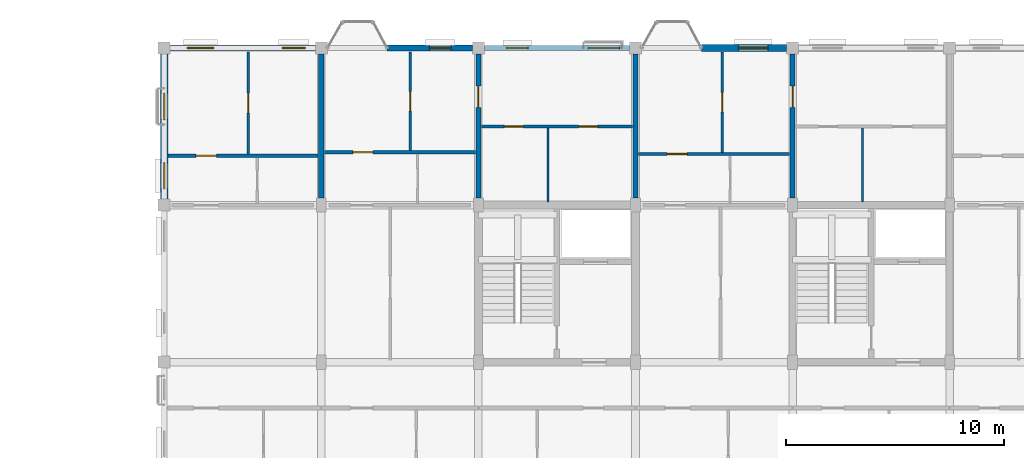
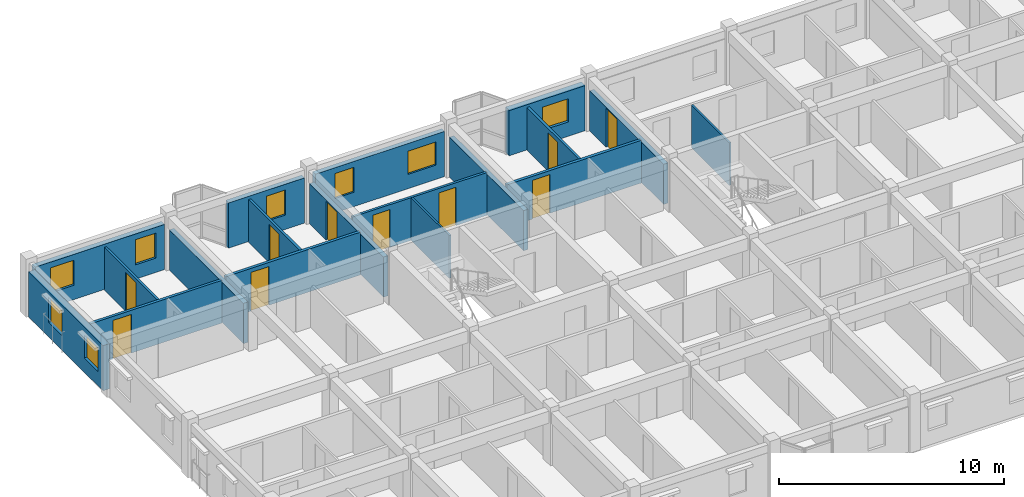
# One storey, part 69 of 79: 18 walls, 10 doors, 8 windows, 18 openings.
"""IFC4 building model written with IfcOpenShell, lengths in metres."""

from ifc_helpers import new_model, si_unit, direction, frame, frame_2d, origin, place, context, subcontext, project, spatial, rectangle, extrude, material, layer, layer_set, type_object, element, fill, save


model = new_model("IFC4")

# Units and contexts
model_context = context("Model", 3, precision=1e-05, world=origin(), true_north=direction((0.0, 1.0)))
body_context = subcontext(model_context, "Body", "Model", "MODEL_VIEW")
ifc_project = project(units=[si_unit("LENGTHUNIT", "METRE"), si_unit("AREAUNIT", "SQUARE_METRE"), si_unit("VOLUMEUNIT", "CUBIC_METRE"), si_unit("PLANEANGLEUNIT", "RADIAN"), si_unit("MASSUNIT", "GRAM", prefix="KILO"), si_unit("THERMODYNAMICTEMPERATUREUNIT", "KELVIN"), si_unit("POWERUNIT", "WATT")], contexts=[model_context])

# Site, building, storey
site_placement = place(None, origin())
site = spatial("IfcSite", under=ifc_project, at=site_placement, CompositionType="ELEMENT")
building_placement = place(site_placement, origin())
building = spatial("IfcBuilding", under=site, at=building_placement, Name="Tavuni Mirador Residences", CompositionType="ELEMENT")
storey_placement = place(building_placement, frame((0.0, 0.0, 13.949951171875)))
storey = spatial("IfcBuildingStorey", under=building, at=storey_placement, Name="L04", CompositionType="ELEMENT", Elevation=13.949951171875)

# Wall, opening, window
ifc_material_1 = material(Name="Precast concrete C40/50", Category="concrete")
ifc_layer_1 = layer(ifc_material_1, 0.330078125, Name="Precast concrete C40/50", Category="concrete")
ifc_layer_set_1 = layer_set([ifc_layer_1], Name="Precast concrete C40/50")
wall_type_1 = type_object("IfcWallType", Name="WT-EXT-COR330", PredefinedType="SOLIDWALL", material=ifc_layer_set_1)
wall_1_placement = place(storey_placement, frame((39.324951171875, 172.800048828125, 0.0), z_axis=(0.0, 0.0, 1.0), x_axis=(-1.0, 0.0, 0.0)))
wall_1 = element("IfcWall", 1, at=wall_1_placement, inside=storey, type_object=wall_type_1, Name="EW-BLK-C-L04-N03", PredefinedType="SOLIDWALL", context=body_context, shape_type="SweptSolid", body=[
    extrude(rectangle(XDim=3.905029296875, YDim=0.330078125, at=frame_2d((1.95263671875, 0.0))), origin(), (0.0, 0.0, 1.0), 2.455078125),
])
opening_1_placement = place(wall_1_placement, frame((0.847412109375, 0.0, 0.780029296875)))
opening_1 = element("IfcOpeningElement", 2, at=opening_1_placement, cuts=wall_1, Name="Opening WN-15", PredefinedType="OPENING", context=body_context, shape_type="SweptSolid", body=[
    extrude(rectangle(XDim=1.360107421875, YDim=1.260009765625, at=frame_2d((0.68017578125, 0.6298828125))), frame((0.0, 0.175048828125, 0.0), z_axis=(0.0, -1.0, 0.0), x_axis=(1.0, 0.0, 0.0)), (0.0, 0.0, 1.0), 0.35009765625),
])
ifc_material_2 = material(Name="Laminated solar-control glass", Category="glass")
window_type_1 = type_object("IfcWindowType", Name="WNT-15", PartitioningType="SINGLE_PANEL", PredefinedType="WINDOW", material=ifc_material_2)
window_1_placement = place(opening_1_placement, origin())
window_1 = element("IfcWindow", 3, at=window_1_placement, inside=storey, type_object=window_type_1, Name="WIN-1030", OverallHeight=1.260009765625, OverallWidth=1.360107421875, PartitioningType="SINGLE_PANEL", PredefinedType="WINDOW", context=body_context, shape_type="SweptSolid", body=[
    extrude(rectangle(XDim=1.360107421875, YDim=1.260009765625, at=frame_2d((0.68017578125, 0.6298828125))), frame((0.0, 0.030029296875, 0.0), z_axis=(0.0, -1.0, 0.0), x_axis=(1.0, 0.0, 0.0)), (0.0, 0.0, 1.0), 0.06005859375),
])
fill(opening_1, window_1)

# Wall, openings, windows
wall_2_placement = place(storey_placement, frame((10.800048828125, 172.52490234375, 0.0), z_axis=(0.0, 0.0, 1.0), x_axis=(0.0, -1.0, 0.0)))
wall_2 = element("IfcWall", 4, at=wall_2_placement, inside=storey, type_object=wall_type_1, Name="EW-BLK-C-L04-W03", PredefinedType="SOLIDWALL", context=body_context, shape_type="SweptSolid", body=[
    extrude(rectangle(XDim=6.64990234375, YDim=0.330078125, at=frame_2d((3.324951171875, 0.0))), origin(), (0.0, 0.0, 1.0), 2.455078125),
])
opening_2_placement = place(wall_2_placement, frame((1.79248046875, 0.0, 0.780029296875)))
opening_2 = element("IfcOpeningElement", 5, at=opening_2_placement, cuts=wall_2, Name="Opening WN-21", PredefinedType="OPENING", context=body_context, shape_type="SweptSolid", body=[
    extrude(rectangle(XDim=1.219970703125, YDim=1.360107421875, at=frame_2d((0.60986328125, 0.68017578125))), frame((0.0, 0.175048828125, 0.0), z_axis=(0.0, -1.0, 0.0), x_axis=(1.0, 0.0, 0.0)), (0.0, 0.0, 1.0), 0.35009765625),
])
opening_3_placement = place(wall_2_placement, frame((4.987548828125, 0.0, 0.780029296875)))
opening_3 = element("IfcOpeningElement", 6, at=opening_3_placement, cuts=wall_2, Name="Opening WN-13", PredefinedType="OPENING", context=body_context, shape_type="SweptSolid", body=[
    extrude(rectangle(XDim=1.199951171875, YDim=1.260009765625, at=frame_2d((0.60009765625, 0.6298828125))), frame((0.0, 0.175048828125, 0.0), z_axis=(0.0, -1.0, 0.0), x_axis=(1.0, 0.0, 0.0)), (0.0, 0.0, 1.0), 0.35009765625),
])
window_type_2 = type_object("IfcWindowType", Name="WNT-13", PartitioningType="SINGLE_PANEL", PredefinedType="WINDOW", material=ifc_material_2)
window_2_placement = place(opening_3_placement, origin())
window_2 = element("IfcWindow", 7, at=window_2_placement, inside=storey, type_object=window_type_2, Name="WIN-1037", OverallHeight=1.260009765625, OverallWidth=1.199951171875, PartitioningType="SINGLE_PANEL", PredefinedType="WINDOW", context=body_context, shape_type="SweptSolid", body=[
    extrude(rectangle(XDim=1.199951171875, YDim=1.260009765625, at=frame_2d((0.60009765625, 0.6298828125))), frame((0.0, 0.030029296875, 0.0), z_axis=(0.0, -1.0, 0.0), x_axis=(1.0, 0.0, 0.0)), (0.0, 0.0, 1.0), 0.06005859375),
])
fill(opening_3, window_2)
window_type_3 = type_object("IfcWindowType", Name="WNT-21", PartitioningType="SINGLE_PANEL", PredefinedType="WINDOW", material=ifc_material_2)
window_3_placement = place(opening_2_placement, origin())
window_3 = element("IfcWindow", 8, at=window_3_placement, inside=storey, type_object=window_type_3, Name="WIN-1036", OverallHeight=1.360107421875, OverallWidth=1.219970703125, PartitioningType="SINGLE_PANEL", PredefinedType="WINDOW", context=body_context, shape_type="SweptSolid", body=[
    extrude(rectangle(XDim=1.219970703125, YDim=1.360107421875, at=frame_2d((0.60986328125, 0.68017578125))), frame((0.0, 0.030029296875, 0.0), z_axis=(0.0, -1.0, 0.0), x_axis=(1.0, 0.0, 0.0)), (0.0, 0.0, 1.0), 0.06005859375),
])
fill(opening_2, window_3)

ifc_material_3 = material(Name="Sgraffito lime-rendered precast concrete C40/50", Category="concrete")
ifc_layer_2 = layer(ifc_material_3, 0.2451171875, Name="Sgraffito lime-rendered precast concrete C40/50", Category="concrete")
ifc_layer_set_2 = layer_set([ifc_layer_2], Name="Sgraffito lime-rendered precast concrete C40/50")
wall_type_2 = type_object("IfcWallType", Name="WT-EXT-PC245", PredefinedType="SOLIDWALL", material=ifc_layer_set_2)
wall_3_placement = place(storey_placement, frame((32.125, 172.800048828125, 0.0), z_axis=(0.0, 0.0, 1.0), x_axis=(-1.0, 0.0, 0.0)))
wall_3 = element("IfcWall", 9, at=wall_3_placement, inside=storey, type_object=wall_type_2, Name="EW-BLK-C-L04-N02", PredefinedType="SOLIDWALL", context=body_context, shape_type="SweptSolid", body=[
    extrude(rectangle(XDim=6.64990234375, YDim=0.2451171875, at=frame_2d((3.324951171875, 0.0))), origin(), (0.0, 0.0, 1.0), 2.455078125),
])
opening_4_placement = place(wall_3_placement, frame((0.449951171875, 0.0, 0.780029296875)))
opening_4 = element("IfcOpeningElement", 10, at=opening_4_placement, cuts=wall_3, Name="Opening WN-16", PredefinedType="OPENING", context=body_context, shape_type="SweptSolid", body=[
    extrude(rectangle(XDim=1.43994140625, YDim=1.260009765625, at=frame_2d((0.719970703125, 0.6298828125))), frame((0.0, 0.132568359375, 0.0), z_axis=(0.0, -1.0, 0.0), x_axis=(1.0, 0.0, 0.0)), (0.0, 0.0, 1.0), 0.26513671875),
])
opening_5_placement = place(wall_3_placement, frame((4.64990234375, 0.0, 0.780029296875)))
opening_5 = element("IfcOpeningElement", 11, at=opening_5_placement, cuts=wall_3, Name="Opening WN-18", PredefinedType="OPENING", context=body_context, shape_type="SweptSolid", body=[
    extrude(rectangle(XDim=0.97998046875, YDim=1.360107421875, at=frame_2d((0.489990234375, 0.68017578125))), frame((0.0, 0.132568359375, 0.0), z_axis=(0.0, -1.0, 0.0), x_axis=(1.0, 0.0, 0.0)), (0.0, 0.0, 1.0), 0.26513671875),
])
window_type_4 = type_object("IfcWindowType", Name="WNT-16", PartitioningType="SINGLE_PANEL", PredefinedType="WINDOW", material=ifc_material_2)
window_4_placement = place(opening_4_placement, origin())
window_4 = element("IfcWindow", 12, at=window_4_placement, inside=storey, type_object=window_type_4, Name="WIN-1031", OverallHeight=1.260009765625, OverallWidth=1.43994140625, PartitioningType="SINGLE_PANEL", PredefinedType="WINDOW", context=body_context, shape_type="SweptSolid", body=[
    extrude(rectangle(XDim=1.43994140625, YDim=1.260009765625, at=frame_2d((0.719970703125, 0.6298828125))), frame((0.0, 0.030029296875, 0.0), z_axis=(0.0, -1.0, 0.0), x_axis=(1.0, 0.0, 0.0)), (0.0, 0.0, 1.0), 0.06005859375),
])
fill(opening_4, window_4)
window_type_5 = type_object("IfcWindowType", Name="WNT-18", PartitioningType="SINGLE_PANEL", PredefinedType="WINDOW", material=ifc_material_2)
window_5_placement = place(opening_5_placement, origin())
window_5 = element("IfcWindow", 13, at=window_5_placement, inside=storey, type_object=window_type_5, Name="WIN-1032", OverallHeight=1.360107421875, OverallWidth=0.97998046875, PartitioningType="SINGLE_PANEL", PredefinedType="WINDOW", context=body_context, shape_type="SweptSolid", body=[
    extrude(rectangle(XDim=0.97998046875, YDim=1.360107421875, at=frame_2d((0.489990234375, 0.68017578125))), frame((0.0, 0.030029296875, 0.0), z_axis=(0.0, -1.0, 0.0), x_axis=(1.0, 0.0, 0.0)), (0.0, 0.0, 1.0), 0.06005859375),
])
fill(opening_5, window_5)

# Wall, opening, window
ifc_layer_3 = layer(ifc_material_3, 0.2548828125, Name="Sgraffito lime-rendered precast concrete C40/50", Category="concrete")
ifc_layer_set_3 = layer_set([ifc_layer_3], Name="Sgraffito lime-rendered precast concrete C40/50")
wall_type_3 = type_object("IfcWallType", Name="WT-EXT-PC255", PredefinedType="SOLIDWALL", material=ifc_layer_set_3)
wall_4_placement = place(storey_placement, frame((24.925048828125, 172.800048828125, 0.0), z_axis=(0.0, 0.0, 1.0), x_axis=(-1.0, 0.0, 0.0)))
wall_4 = element("IfcWall", 14, at=wall_4_placement, inside=storey, type_object=wall_type_3, Name="EW-BLK-C-L04-N01", PredefinedType="SOLIDWALL", context=body_context, shape_type="SweptSolid", body=[
    extrude(rectangle(XDim=3.905029296875, YDim=0.2548828125, at=frame_2d((1.95263671875, 0.0))), origin(), (0.0, 0.0, 1.0), 2.455078125),
])
opening_6_placement = place(wall_4_placement, frame((0.987548828125, 0.0, 0.780029296875)))
opening_6 = element("IfcOpeningElement", 15, at=opening_6_placement, cuts=wall_4, Name="Opening WN-18", PredefinedType="OPENING", context=body_context, shape_type="SweptSolid", body=[
    extrude(rectangle(XDim=0.97998046875, YDim=1.360107421875, at=frame_2d((0.489990234375, 0.68017578125))), frame((0.0, 0.137451171875, 0.0), z_axis=(0.0, -1.0, 0.0), x_axis=(1.0, 0.0, 0.0)), (0.0, 0.0, 1.0), 0.27490234375),
])
window_6_placement = place(opening_6_placement, origin())
window_6 = element("IfcWindow", 16, at=window_6_placement, inside=storey, type_object=window_type_5, Name="WIN-1033", OverallHeight=1.360107421875, OverallWidth=0.97998046875, PartitioningType="SINGLE_PANEL", PredefinedType="WINDOW", context=body_context, shape_type="SweptSolid", body=[
    extrude(rectangle(XDim=0.97998046875, YDim=1.360107421875, at=frame_2d((0.489990234375, 0.68017578125))), frame((0.0, 0.030029296875, 0.0), z_axis=(0.0, -1.0, 0.0), x_axis=(1.0, 0.0, 0.0)), (0.0, 0.0, 1.0), 0.06005859375),
])
fill(opening_6, window_6)

# Wall, openings, windows
ifc_layer_4 = layer(ifc_material_3, 0.27490234375, Name="Sgraffito lime-rendered precast concrete C40/50", Category="concrete")
ifc_layer_set_4 = layer_set([ifc_layer_4], Name="Sgraffito lime-rendered precast concrete C40/50")
wall_type_4 = type_object("IfcWallType", Name="WT-EXT-PC275", PredefinedType="SOLIDWALL", material=ifc_layer_set_4)
wall_5_placement = place(storey_placement, frame((17.72509765625, 172.800048828125, 0.0), z_axis=(0.0, 0.0, 1.0), x_axis=(-1.0, 0.0, 0.0)))
wall_5 = element("IfcWall", 17, at=wall_5_placement, inside=storey, type_object=wall_type_4, Name="EW-BLK-C-L04-N00", PredefinedType="SOLIDWALL", context=body_context, shape_type="SweptSolid", body=[
    extrude(rectangle(XDim=6.650146484375, YDim=0.27490234375, at=frame_2d((3.3251953125, 0.0))), origin(), (0.0, 0.0, 1.0), 2.455078125),
])
opening_7_placement = place(wall_5_placement, frame((0.449951171875, 0.0, 0.780029296875)))
opening_7 = element("IfcOpeningElement", 18, at=opening_7_placement, cuts=wall_5, Name="Opening WN-19", PredefinedType="OPENING", context=body_context, shape_type="SweptSolid", body=[
    extrude(rectangle(XDim=1.06005859375, YDim=1.360107421875, at=frame_2d((0.530029296875, 0.68017578125))), frame((0.0, 0.1474609375, 0.0), z_axis=(0.0, -1.0, 0.0), x_axis=(1.0, 0.0, 0.0)), (0.0, 0.0, 1.0), 0.294921875),
])
opening_8_placement = place(wall_5_placement, frame((4.64990234375, 0.0, 0.780029296875)))
opening_8 = element("IfcOpeningElement", 19, at=opening_8_placement, cuts=wall_5, Name="Opening WN-21", PredefinedType="OPENING", context=body_context, shape_type="SweptSolid", body=[
    extrude(rectangle(XDim=1.219970703125, YDim=1.360107421875, at=frame_2d((0.60986328125, 0.68017578125))), frame((0.0, 0.1474609375, 0.0), z_axis=(0.0, -1.0, 0.0), x_axis=(1.0, 0.0, 0.0)), (0.0, 0.0, 1.0), 0.294921875),
])
window_type_6 = type_object("IfcWindowType", Name="WNT-19", PartitioningType="SINGLE_PANEL", PredefinedType="WINDOW", material=ifc_material_2)
window_7_placement = place(opening_7_placement, origin())
window_7 = element("IfcWindow", 20, at=window_7_placement, inside=storey, type_object=window_type_6, Name="WIN-1034", OverallHeight=1.360107421875, OverallWidth=1.06005859375, PartitioningType="SINGLE_PANEL", PredefinedType="WINDOW", context=body_context, shape_type="SweptSolid", body=[
    extrude(rectangle(XDim=1.06005859375, YDim=1.360107421875, at=frame_2d((0.530029296875, 0.68017578125))), frame((0.0, 0.030029296875, 0.0), z_axis=(0.0, -1.0, 0.0), x_axis=(1.0, 0.0, 0.0)), (0.0, 0.0, 1.0), 0.06005859375),
])
fill(opening_7, window_7)
window_8_placement = place(opening_8_placement, origin())
window_8 = element("IfcWindow", 21, at=window_8_placement, inside=storey, type_object=window_type_3, Name="WIN-1035", OverallHeight=1.360107421875, OverallWidth=1.219970703125, PartitioningType="SINGLE_PANEL", PredefinedType="WINDOW", context=body_context, shape_type="SweptSolid", body=[
    extrude(rectangle(XDim=1.219970703125, YDim=1.360107421875, at=frame_2d((0.60986328125, 0.68017578125))), frame((0.0, 0.030029296875, 0.0), z_axis=(0.0, -1.0, 0.0), x_axis=(1.0, 0.0, 0.0)), (0.0, 0.0, 1.0), 0.06005859375),
])
fill(opening_8, window_8)

# Walls
ifc_material_4 = material(Name="Acoustic gypsum and concrete block partition", Category="concrete")
ifc_layer_5 = layer(ifc_material_4, 0.094970703125, Name="Acoustic gypsum and concrete block partition", Category="concrete")
ifc_layer_set_5 = layer_set([ifc_layer_5], Name="Acoustic gypsum and concrete block partition")
wall_type_5 = type_object("IfcWallType", Name="WT-PART095", PredefinedType="PARTITIONING", material=ifc_layer_set_5)
for number, where, z_axis, x_axis, name in (
    (22, (28.39990234375, 165.739990234375, 0.0), (0.0, 0.0, 1.0), (0.0, 1.0, 0.0), "PW-BLK-C-L04-NC02-V"),
    (23, (42.800048828125, 165.739990234375, 0.0), (0.0, 0.0, 1.0), (0.0, 1.0, 0.0), "PW-BLK-C-L04-NC04-V"),
):
    element("IfcWall", number, at=place(storey_placement, frame(where, z_axis=z_axis, x_axis=x_axis)), inside=storey, type_object=wall_type_5, Name=name, PredefinedType="PARTITIONING", context=body_context, shape_type="SweptSolid", body=[
        extrude(rectangle(XDim=3.389892578125, YDim=0.094970703125, at=frame_2d((1.69482421875, 0.0))), origin(), (0.0, 0.0, 1.0), 2.320068359375),
    ])

# Wall, opening, door
ifc_layer_6 = layer(ifc_material_4, 0.114990234375, Name="Acoustic gypsum and concrete block partition", Category="concrete")
ifc_layer_set_6 = layer_set([ifc_layer_6], Name="Acoustic gypsum and concrete block partition")
wall_type_6 = type_object("IfcWallType", Name="WT-PART115", PredefinedType="PARTITIONING", material=ifc_layer_set_6)
wall_6_placement = place(storey_placement, frame((14.659912109375, 167.929931640625, 0.0), z_axis=(0.0, 0.0, 1.0), x_axis=(0.0, 1.0, 0.0)))
wall_6 = element("IfcWall", 24, at=wall_6_placement, inside=storey, type_object=wall_type_6, Name="PW-BLK-C-L04-N00-OUT", PredefinedType="PARTITIONING", context=body_context, shape_type="SweptSolid", body=[
    extrude(rectangle(XDim=4.695068359375, YDim=0.114990234375, at=frame_2d((2.34765625, 0.0))), origin(), (0.0, 0.0, 1.0), 2.320068359375),
])
opening_9_placement = place(wall_6_placement, frame((1.8974609375, 0.0, 0.0)))
opening_9 = element("IfcOpeningElement", 25, at=opening_9_placement, cuts=wall_6, Name="Opening D-07", PredefinedType="OPENING", context=body_context, shape_type="SweptSolid", body=[
    extrude(rectangle(XDim=0.89990234375, YDim=2.10009765625, at=frame_2d((0.449951171875, 1.050048828125))), frame((0.0, 0.0673828125, 0.0), z_axis=(0.0, -1.0, 0.0), x_axis=(1.0, 0.0, 0.0)), (0.0, 0.0, 1.0), 0.135009765625),
])
ifc_material_5 = material(Name="Solid core iroko timber", Category="wood")
door_type_1 = type_object("IfcDoorType", Name="DT-BED900", OperationType="NOTDEFINED", PredefinedType="DOOR", material=ifc_material_5)
door_1_placement = place(opening_9_placement, origin())
door_1 = element("IfcDoor", 26, at=door_1_placement, inside=storey, type_object=door_type_1, Name="DR-3853", OperationType="SINGLE_SWING_RIGHT", OverallHeight=2.10009765625, OverallWidth=0.89990234375, PredefinedType="DOOR", context=body_context, shape_type="SweptSolid", body=[
    extrude(rectangle(XDim=0.89990234375, YDim=2.10009765625, at=frame_2d((0.449951171875, 1.050048828125))), frame((0.0, 0.02490234375, 0.0), z_axis=(0.0, -1.0, 0.0), x_axis=(1.0, 0.0, 0.0)), (0.0, 0.0, 1.0), 0.050048828125),
])
fill(opening_9, door_1)

ifc_layer_7 = layer(ifc_material_4, 0.125, Name="Acoustic gypsum and concrete block partition", Category="concrete")
ifc_layer_set_7 = layer_set([ifc_layer_7], Name="Acoustic gypsum and concrete block partition")
wall_type_7 = type_object("IfcWallType", Name="WT-PART125", PredefinedType="PARTITIONING", material=ifc_layer_set_7)
wall_7_placement = place(storey_placement, frame((22.080078125, 168.090087890625, 0.0), z_axis=(0.0, 0.0, 1.0), x_axis=(0.0, 1.0, 0.0)))
wall_7 = element("IfcWall", 27, at=wall_7_placement, inside=storey, type_object=wall_type_7, Name="PW-BLK-C-L04-N01-OUT", PredefinedType="PARTITIONING", context=body_context, shape_type="SweptSolid", body=[
    extrude(rectangle(XDim=4.534912109375, YDim=0.125, at=frame_2d((2.267578125, 0.0))), origin(), (0.0, 0.0, 1.0), 2.320068359375),
])
opening_10_placement = place(wall_7_placement, frame((1.827392578125, 0.0, 0.0)))
opening_10 = element("IfcOpeningElement", 28, at=opening_10_placement, cuts=wall_7, Name="Opening D-08", PredefinedType="OPENING", context=body_context, shape_type="SweptSolid", body=[
    extrude(rectangle(XDim=0.8798828125, YDim=2.080078125, at=frame_2d((0.43994140625, 1.0400390625))), frame((0.0, 0.072509765625, 0.0), z_axis=(0.0, -1.0, 0.0), x_axis=(1.0, 0.0, 0.0)), (0.0, 0.0, 1.0), 0.14501953125),
])
door_type_2 = type_object("IfcDoorType", Name="DT-BED880", OperationType="NOTDEFINED", PredefinedType="DOOR", material=ifc_material_5)
door_2_placement = place(opening_10_placement, origin())
door_2 = element("IfcDoor", 29, at=door_2_placement, inside=storey, type_object=door_type_2, Name="DR-3860", OperationType="SINGLE_SWING_LEFT", OverallHeight=2.080078125, OverallWidth=0.8798828125, PredefinedType="DOOR", context=body_context, shape_type="SweptSolid", body=[
    extrude(rectangle(XDim=0.8798828125, YDim=2.080078125, at=frame_2d((0.43994140625, 1.0400390625))), frame((0.0, 0.02490234375, 0.0), z_axis=(0.0, -1.0, 0.0), x_axis=(1.0, 0.0, 0.0)), (0.0, 0.0, 1.0), 0.050048828125),
])
fill(opening_10, door_2)

# Wall, openings, doors
wall_8_placement = place(storey_placement, frame((25.340087890625, 169.199951171875, 0.0), z_axis=(0.0, 0.0, 1.0), x_axis=(1.0, 0.0, 0.0)))
wall_8 = element("IfcWall", 30, at=wall_8_placement, inside=storey, type_object=wall_type_7, Name="PW-BLK-C-L04-NC02-M", PredefinedType="PARTITIONING", context=body_context, shape_type="SweptSolid", body=[
    extrude(rectangle(XDim=6.919921875, YDim=0.125, at=frame_2d((3.4599609375, 0.0))), origin(), (0.0, 0.0, 1.0), 2.320068359375),
])
opening_11_placement = place(wall_8_placement, frame((1.050048828125, 0.0, 0.0)))
opening_11 = element("IfcOpeningElement", 31, at=opening_11_placement, cuts=wall_8, Name="Opening D-10", PredefinedType="OPENING", context=body_context, shape_type="SweptSolid", body=[
    extrude(rectangle(XDim=0.8701171875, YDim=2.050048828125, at=frame_2d((0.43505859375, 1.02490234375))), frame((0.0, 0.072509765625, 0.0), z_axis=(0.0, -1.0, 0.0), x_axis=(1.0, 0.0, 0.0)), (0.0, 0.0, 1.0), 0.14501953125),
])
opening_12_placement = place(wall_8_placement, frame((4.449951171875, 0.0, 0.0)))
opening_12 = element("IfcOpeningElement", 32, at=opening_12_placement, cuts=wall_8, Name="Opening D-08", PredefinedType="OPENING", context=body_context, shape_type="SweptSolid", body=[
    extrude(rectangle(XDim=0.8798828125, YDim=2.080078125, at=frame_2d((0.43994140625, 1.0400390625))), frame((0.0, 0.072509765625, 0.0), z_axis=(0.0, -1.0, 0.0), x_axis=(1.0, 0.0, 0.0)), (0.0, 0.0, 1.0), 0.14501953125),
])
door_3_placement = place(opening_12_placement, origin())
door_3 = element("IfcDoor", 33, at=door_3_placement, inside=storey, type_object=door_type_2, Name="DR-3867", OperationType="SINGLE_SWING_RIGHT", OverallHeight=2.080078125, OverallWidth=0.8798828125, PredefinedType="DOOR", context=body_context, shape_type="SweptSolid", body=[
    extrude(rectangle(XDim=0.8798828125, YDim=2.080078125, at=frame_2d((0.43994140625, 1.0400390625))), frame((0.0, 0.02490234375, 0.0), z_axis=(0.0, -1.0, 0.0), x_axis=(1.0, 0.0, 0.0)), (0.0, 0.0, 1.0), 0.050048828125),
])
fill(opening_12, door_3)
door_type_3 = type_object("IfcDoorType", Name="DT-WC870", OperationType="NOTDEFINED", PredefinedType="DOOR", material=ifc_material_5)
door_4_placement = place(opening_11_placement, origin())
door_4 = element("IfcDoor", 34, at=door_4_placement, inside=storey, type_object=door_type_3, Name="DR-3866", OperationType="SINGLE_SWING_LEFT", OverallHeight=2.050048828125, OverallWidth=0.8701171875, PredefinedType="DOOR", context=body_context, shape_type="SweptSolid", body=[
    extrude(rectangle(XDim=0.8701171875, YDim=2.050048828125, at=frame_2d((0.43505859375, 1.02490234375))), frame((0.0, 0.02490234375, 0.0), z_axis=(0.0, -1.0, 0.0), x_axis=(1.0, 0.0, 0.0)), (0.0, 0.0, 1.0), 0.050048828125),
])
fill(opening_11, door_4)

# Wall, opening, door
wall_9_placement = place(storey_placement, frame((36.3798828125, 168.010009765625, 0.0), z_axis=(0.0, 0.0, 1.0), x_axis=(0.0, 1.0, 0.0)))
wall_9 = element("IfcWall", 35, at=wall_9_placement, inside=storey, type_object=wall_type_7, Name="PW-BLK-C-L04-N03-OUT", PredefinedType="PARTITIONING", context=body_context, shape_type="SweptSolid", body=[
    extrude(rectangle(XDim=4.614990234375, YDim=0.125, at=frame_2d((2.3076171875, 0.0))), origin(), (0.0, 0.0, 1.0), 2.320068359375),
])
opening_13_placement = place(wall_9_placement, frame((1.867431640625, 0.0, 0.0)))
opening_13 = element("IfcOpeningElement", 36, at=opening_13_placement, cuts=wall_9, Name="Opening D-08", PredefinedType="OPENING", context=body_context, shape_type="SweptSolid", body=[
    extrude(rectangle(XDim=0.8798828125, YDim=2.080078125, at=frame_2d((0.43994140625, 1.0400390625))), frame((0.0, 0.072509765625, 0.0), z_axis=(0.0, -1.0, 0.0), x_axis=(1.0, 0.0, 0.0)), (0.0, 0.0, 1.0), 0.14501953125),
])
door_5_placement = place(opening_13_placement, origin())
door_5 = element("IfcDoor", 37, at=door_5_placement, inside=storey, type_object=door_type_2, Name="DR-3872", OperationType="SINGLE_SWING_LEFT", OverallHeight=2.080078125, OverallWidth=0.8798828125, PredefinedType="DOOR", context=body_context, shape_type="SweptSolid", body=[
    extrude(rectangle(XDim=0.8798828125, YDim=2.080078125, at=frame_2d((0.43994140625, 1.0400390625))), frame((0.0, 0.02490234375, 0.0), z_axis=(0.0, -1.0, 0.0), x_axis=(1.0, 0.0, 0.0)), (0.0, 0.0, 1.0), 0.050048828125),
])
fill(opening_13, door_5)

ifc_layer_8 = layer(ifc_material_4, 0.139892578125, Name="Acoustic gypsum and concrete block partition", Category="concrete")
ifc_layer_set_8 = layer_set([ifc_layer_8], Name="Acoustic gypsum and concrete block partition")
wall_type_8 = type_object("IfcWallType", Name="WT-PART140", PredefinedType="PARTITIONING", material=ifc_layer_set_8)
wall_10_placement = place(storey_placement, frame((10.97509765625, 167.860107421875, 0.0), z_axis=(0.0, 0.0, 1.0), x_axis=(1.0, 0.0, 0.0)))
wall_10 = element("IfcWall", 38, at=wall_10_placement, inside=storey, type_object=wall_type_8, Name="PW-BLK-C-L04-N00-MID", PredefinedType="PARTITIONING", context=body_context, shape_type="SweptSolid", body=[
    extrude(rectangle(XDim=6.885009765625, YDim=0.139892578125, at=frame_2d((3.4423828125, 0.0))), origin(), (0.0, 0.0, 1.0), 2.320068359375),
])
opening_14_placement = place(wall_10_placement, frame((1.27490234375, 0.0, 0.0)))
opening_14 = element("IfcOpeningElement", 39, at=opening_14_placement, cuts=wall_10, Name="Opening D-05", PredefinedType="OPENING", context=body_context, shape_type="SweptSolid", body=[
    extrude(rectangle(XDim=0.949951171875, YDim=2.10009765625, at=frame_2d((0.47509765625, 1.050048828125))), frame((0.0, 0.080078125, 0.0), z_axis=(0.0, -1.0, 0.0), x_axis=(1.0, 0.0, 0.0)), (0.0, 0.0, 1.0), 0.159912109375),
])
door_type_4 = type_object("IfcDoorType", Name="DT-INT950", OperationType="NOTDEFINED", PredefinedType="DOOR", material=ifc_material_5)
door_6_placement = place(opening_14_placement, origin())
door_6 = element("IfcDoor", 40, at=door_6_placement, inside=storey, type_object=door_type_4, Name="DR-3855", OperationType="SINGLE_SWING_LEFT", OverallHeight=2.10009765625, OverallWidth=0.949951171875, PredefinedType="DOOR", context=body_context, shape_type="SweptSolid", body=[
    extrude(rectangle(XDim=0.949951171875, YDim=2.10009765625, at=frame_2d((0.47509765625, 1.050048828125))), frame((0.0, 0.02490234375, 0.0), z_axis=(0.0, -1.0, 0.0), x_axis=(1.0, 0.0, 0.0)), (0.0, 0.0, 1.0), 0.050048828125),
])
fill(opening_14, door_6)

ifc_layer_9 = layer(ifc_material_4, 0.14990234375, Name="Acoustic gypsum and concrete block partition", Category="concrete")
ifc_layer_set_9 = layer_set([ifc_layer_9], Name="Acoustic gypsum and concrete block partition")
wall_type_9 = type_object("IfcWallType", Name="WT-PART150", PredefinedType="PARTITIONING", material=ifc_layer_set_9)
wall_11_placement = place(storey_placement, frame((18.139892578125, 168.02001953125, 0.0), z_axis=(0.0, 0.0, 1.0), x_axis=(1.0, 0.0, 0.0)))
wall_11 = element("IfcWall", 41, at=wall_11_placement, inside=storey, type_object=wall_type_9, Name="PW-BLK-C-L04-N01-MID", PredefinedType="PARTITIONING", context=body_context, shape_type="SweptSolid", body=[
    extrude(rectangle(XDim=6.920166015625, YDim=0.14990234375, at=frame_2d((3.4599609375, 0.0))), origin(), (0.0, 0.0, 1.0), 2.320068359375),
])
opening_15_placement = place(wall_11_placement, frame((1.31005859375, 0.0, 0.0)))
opening_15 = element("IfcOpeningElement", 42, at=opening_15_placement, cuts=wall_11, Name="Opening D-06", PredefinedType="OPENING", context=body_context, shape_type="SweptSolid", body=[
    extrude(rectangle(XDim=0.919921875, YDim=2.10009765625, at=frame_2d((0.4599609375, 1.050048828125))), frame((0.0, 0.0849609375, 0.0), z_axis=(0.0, -1.0, 0.0), x_axis=(1.0, 0.0, 0.0)), (0.0, 0.0, 1.0), 0.169921875),
])
door_type_5 = type_object("IfcDoorType", Name="DT-INT920", OperationType="NOTDEFINED", PredefinedType="DOOR", material=ifc_material_5)
door_7_placement = place(opening_15_placement, origin())
door_7 = element("IfcDoor", 43, at=door_7_placement, inside=storey, type_object=door_type_5, Name="DR-3862", OperationType="SINGLE_SWING_RIGHT", OverallHeight=2.10009765625, OverallWidth=0.919921875, PredefinedType="DOOR", context=body_context, shape_type="SweptSolid", body=[
    extrude(rectangle(XDim=0.919921875, YDim=2.10009765625, at=frame_2d((0.4599609375, 1.050048828125))), frame((0.0, 0.02490234375, 0.0), z_axis=(0.0, -1.0, 0.0), x_axis=(1.0, 0.0, 0.0)), (0.0, 0.0, 1.0), 0.050048828125),
])
fill(opening_15, door_7)

wall_12_placement = place(storey_placement, frame((32.5400390625, 167.93994140625, 0.0), z_axis=(0.0, 0.0, 1.0), x_axis=(1.0, 0.0, 0.0)))
wall_12 = element("IfcWall", 44, at=wall_12_placement, inside=storey, type_object=wall_type_9, Name="PW-BLK-C-L04-N03-MID", PredefinedType="PARTITIONING", context=body_context, shape_type="SweptSolid", body=[
    extrude(rectangle(XDim=6.919921875, YDim=0.14990234375, at=frame_2d((3.4599609375, 0.0))), origin(), (0.0, 0.0, 1.0), 2.320068359375),
])
opening_16_placement = place(wall_12_placement, frame((1.31005859375, 0.0, 0.0)))
opening_16 = element("IfcOpeningElement", 45, at=opening_16_placement, cuts=wall_12, Name="Opening D-06", PredefinedType="OPENING", context=body_context, shape_type="SweptSolid", body=[
    extrude(rectangle(XDim=0.919921875, YDim=2.10009765625, at=frame_2d((0.4599609375, 1.050048828125))), frame((0.0, 0.0849609375, 0.0), z_axis=(0.0, -1.0, 0.0), x_axis=(1.0, 0.0, 0.0)), (0.0, 0.0, 1.0), 0.169921875),
])
door_8_placement = place(opening_16_placement, origin())
door_8 = element("IfcDoor", 46, at=door_8_placement, inside=storey, type_object=door_type_5, Name="DR-3874", OperationType="SINGLE_SWING_RIGHT", OverallHeight=2.10009765625, OverallWidth=0.919921875, PredefinedType="DOOR", context=body_context, shape_type="SweptSolid", body=[
    extrude(rectangle(XDim=0.919921875, YDim=2.10009765625, at=frame_2d((0.4599609375, 1.050048828125))), frame((0.0, 0.02490234375, 0.0), z_axis=(0.0, -1.0, 0.0), x_axis=(1.0, 0.0, 0.0)), (0.0, 0.0, 1.0), 0.050048828125),
])
fill(opening_16, door_8)

# Wall
ifc_layer_10 = layer(ifc_material_1, 0.235107421875, Name="Precast concrete C40/50", Category="concrete")
ifc_layer_set_10 = layer_set([ifc_layer_10], Name="Precast concrete C40/50")
wall_type_10 = type_object("IfcWallType", Name="WT-XW235", PredefinedType="SOLIDWALL", material=ifc_layer_set_10)
wall_13_placement = place(storey_placement, frame((18.0, 165.925048828125, 0.0), z_axis=(0.0, 0.0, 1.0), x_axis=(0.0, 1.0, 0.0)))
element("IfcWall", 47, at=wall_13_placement, inside=storey, type_object=wall_type_10, Name="XW-BLK-C-L04-N-01", PredefinedType="SOLIDWALL", context=body_context, shape_type="SweptSolid", body=[
    extrude(rectangle(XDim=6.599853515625, YDim=0.235107421875, at=frame_2d((3.2998046875, 0.0))), origin(), (0.0, 0.0, 1.0), 2.18505859375),
])

# Wall, opening, door
wall_14_placement = place(storey_placement, frame((25.199951171875, 165.925048828125, 0.0), z_axis=(0.0, 0.0, 1.0), x_axis=(0.0, 1.0, 0.0)))
wall_14 = element("IfcWall", 48, at=wall_14_placement, inside=storey, type_object=wall_type_10, Name="XW-BLK-C-L04-N-02", PredefinedType="SOLIDWALL", context=body_context, shape_type="SweptSolid", body=[
    extrude(rectangle(XDim=6.599853515625, YDim=0.235107421875, at=frame_2d((3.2998046875, 0.0))), origin(), (0.0, 0.0, 1.0), 2.18505859375),
])
opening_17_placement = place(wall_14_placement, frame((4.14990234375, 0.0, 0.0)))
opening_17 = element("IfcOpeningElement", 49, at=opening_17_placement, cuts=wall_14, Name="Opening D-04", PredefinedType="OPENING", context=body_context, shape_type="SweptSolid", body=[
    extrude(rectangle(XDim=0.97998046875, YDim=2.1201171875, at=frame_2d((0.489990234375, 1.06005859375))), frame((0.0, 0.12744140625, 0.0), z_axis=(0.0, -1.0, 0.0), x_axis=(1.0, 0.0, 0.0)), (0.0, 0.0, 1.0), 0.255126953125),
])
door_type_6 = type_object("IfcDoorType", Name="DT-FD60-980", OperationType="NOTDEFINED", PredefinedType="DOOR", material=ifc_material_5)
door_9_placement = place(opening_17_placement, origin())
door_9 = element("IfcDoor", 50, at=door_9_placement, inside=storey, type_object=door_type_6, Name="DR-4736", OperationType="SINGLE_SWING_LEFT", OverallHeight=2.1201171875, OverallWidth=0.97998046875, PredefinedType="DOOR", context=body_context, shape_type="SweptSolid", body=[
    extrude(rectangle(XDim=0.97998046875, YDim=2.1201171875, at=frame_2d((0.489990234375, 1.06005859375))), frame((0.0, 0.02490234375, 0.0), z_axis=(0.0, -1.0, 0.0), x_axis=(1.0, 0.0, 0.0)), (0.0, 0.0, 1.0), 0.050048828125),
])
fill(opening_17, door_9)

# Wall
wall_15_placement = place(storey_placement, frame((32.39990234375, 165.925048828125, 0.0), z_axis=(0.0, 0.0, 1.0), x_axis=(0.0, 1.0, 0.0)))
element("IfcWall", 51, at=wall_15_placement, inside=storey, type_object=wall_type_10, Name="XW-BLK-C-L04-N-03", PredefinedType="SOLIDWALL", context=body_context, shape_type="SweptSolid", body=[
    extrude(rectangle(XDim=6.599853515625, YDim=0.235107421875, at=frame_2d((3.2998046875, 0.0))), origin(), (0.0, 0.0, 1.0), 2.18505859375),
])

# Wall, opening, door
wall_16_placement = place(storey_placement, frame((39.60009765625, 165.925048828125, 0.0), z_axis=(0.0, 0.0, 1.0), x_axis=(0.0, 1.0, 0.0)))
wall_16 = element("IfcWall", 52, at=wall_16_placement, inside=storey, type_object=wall_type_10, Name="XW-BLK-C-L04-N-04", PredefinedType="SOLIDWALL", context=body_context, shape_type="SweptSolid", body=[
    extrude(rectangle(XDim=6.599853515625, YDim=0.235107421875, at=frame_2d((3.2998046875, 0.0))), origin(), (0.0, 0.0, 1.0), 2.18505859375),
])
opening_18_placement = place(wall_16_placement, frame((4.14990234375, 0.0, 0.0)))
opening_18 = element("IfcOpeningElement", 53, at=opening_18_placement, cuts=wall_16, Name="Opening D-04", PredefinedType="OPENING", context=body_context, shape_type="SweptSolid", body=[
    extrude(rectangle(XDim=0.97998046875, YDim=2.1201171875, at=frame_2d((0.489990234375, 1.06005859375))), frame((0.0, 0.12744140625, 0.0), z_axis=(0.0, -1.0, 0.0), x_axis=(1.0, 0.0, 0.0)), (0.0, 0.0, 1.0), 0.255126953125),
])
door_10_placement = place(opening_18_placement, origin())
door_10 = element("IfcDoor", 54, at=door_10_placement, inside=storey, type_object=door_type_6, Name="DR-4737", OperationType="SINGLE_SWING_RIGHT", OverallHeight=2.1201171875, OverallWidth=0.97998046875, PredefinedType="DOOR", context=body_context, shape_type="SweptSolid", body=[
    extrude(rectangle(XDim=0.97998046875, YDim=2.1201171875, at=frame_2d((0.489990234375, 1.06005859375))), frame((0.0, 0.02490234375, 0.0), z_axis=(0.0, -1.0, 0.0), x_axis=(1.0, 0.0, 0.0)), (0.0, 0.0, 1.0), 0.050048828125),
])
fill(opening_18, door_10)

save(model, "model.ifc")
